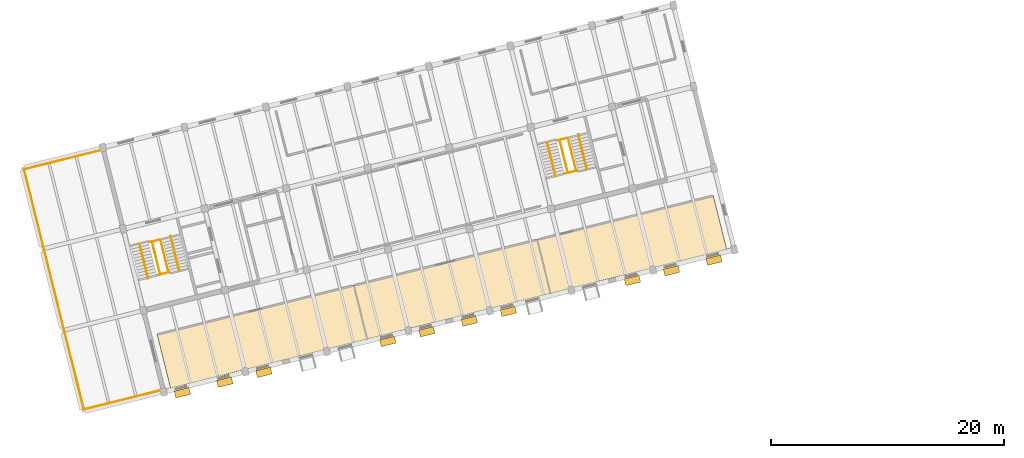
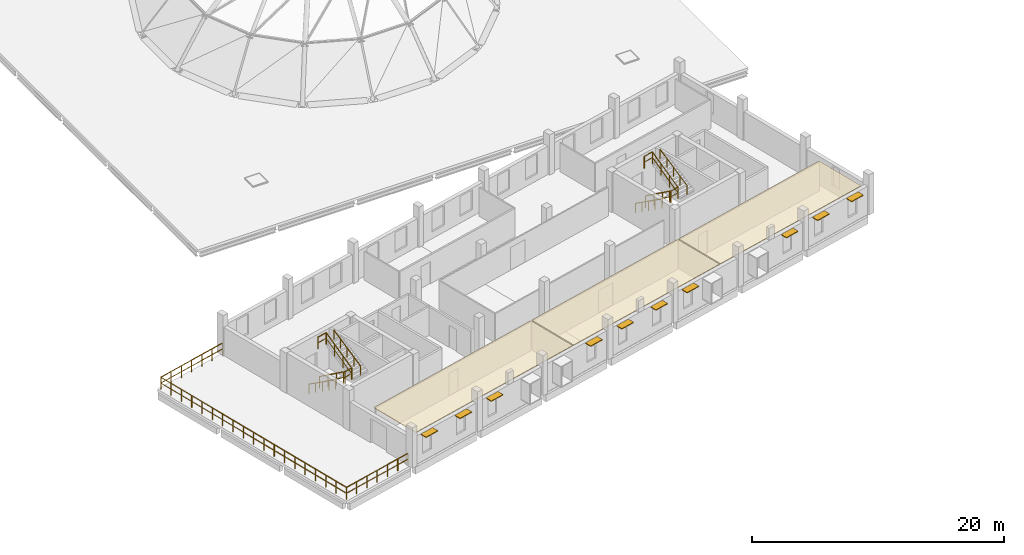
# One storey, part 31 of 32: 15 railings, 10 shading devices, 3 coverings.
"""IFC4 building model written with IfcOpenShell, lengths in metres."""

from ifc_helpers import new_model, si_unit, direction, frame, origin, origin_2d, place, context, subcontext, project, spatial, polyline, rectangle, circle, outline, extrude, material, layer, layer_set, material_profile, profile_set, type_object, element, save


model = new_model("IFC4")

# Units and contexts
model_context = context("Model", 3, precision=1e-05, world=origin(), true_north=direction((0.0, 1.0)))
body_context = subcontext(model_context, "Body", "Model", "MODEL_VIEW")
ifc_project = project(units=[si_unit("LENGTHUNIT", "METRE"), si_unit("AREAUNIT", "SQUARE_METRE"), si_unit("VOLUMEUNIT", "CUBIC_METRE"), si_unit("PLANEANGLEUNIT", "RADIAN"), si_unit("MASSUNIT", "GRAM", prefix="KILO")], contexts=[model_context])

# Site, building, storey
site_placement = place(None, origin())
site = spatial("IfcSite", under=ifc_project, at=site_placement, CompositionType="ELEMENT")
building_placement = place(site_placement, origin())
building = spatial("IfcBuilding", under=site, at=building_placement, Name="Qiaolan Assembly House", CompositionType="ELEMENT")
storey_placement = place(building_placement, frame((0.0, 0.0, 18.60009765625)))
storey = spatial("IfcBuildingStorey", under=building, at=storey_placement, Name="L04", CompositionType="ELEMENT", Elevation=18.60009765625)

# Coverings
ifc_material_1 = material(Name="Gypsum plasterboard acoustic ceiling")
ifc_layer = layer(ifc_material_1, 0.044921875)
ifc_layer_set = layer_set([ifc_layer], Name="Gypsum plasterboard acoustic ceiling")
covering_type = type_object("IfcCoveringType", Name="COV-CEIL-ACOUSTIC", PredefinedType="CEILING", material=ifc_layer_set)
covering_1_placement = place(storey_placement, frame((0.0, 0.0, 2.73486328125)))
element("IfcCovering", 1, at=covering_1_placement, inside=storey, type_object=covering_type, Name="Suspended ceiling Transportation & River-Crossing Authority", PredefinedType="CEILING", context=body_context, shape_type="SweptSolid", body=[
    extrude(outline(polyline([(43.5634765625, 2.0712890625), (60.369140625, 6.261474609375), (59.212646484375, 10.8994140625), (42.4072265625, 6.709228515625), (43.5634765625, 2.0712890625)])), origin(), (0.0, 0.0, 1.0), 0.044921875),
])
covering_2_placement = place(storey_placement, frame((0.0, 0.0, 2.73486328125)))
element("IfcCovering", 2, at=covering_2_placement, inside=storey, type_object=covering_type, Name="Suspended ceiling Smart Mobility Traffic Briefing Room", PredefinedType="CEILING", context=body_context, shape_type="SweptSolid", body=[
    extrude(outline(polyline([(60.44677734375, 6.28076171875), (76.087890625, 10.1806640625), (74.931396484375, 14.818603515625), (59.290283203125, 10.918701171875), (60.44677734375, 6.28076171875)])), origin(), (0.0, 0.0, 1.0), 0.044921875),
])
covering_3_placement = place(storey_placement, frame((0.0, 0.0, 2.73486328125)))
element("IfcCovering", 3, at=covering_3_placement, inside=storey, type_object=covering_type, Name="Suspended ceiling West Splayed Terrace Lounge & Tea Bar", PredefinedType="CEILING", context=body_context, shape_type="SweptSolid", body=[
    extrude(outline(polyline([(76.16552734375, 10.199951171875), (91.224609375, 13.95458984375), (90.068115234375, 18.592529296875), (75.009033203125, 14.837890625), (76.16552734375, 10.199951171875)])), origin(), (0.0, 0.0, 1.0), 0.044921875),
])

# Railings
ifc_material_2 = material(Name="Anodised bronze aluminium", Category="aluminium")
railing_type_1 = type_object("IfcRailingType", Name="RAL-GUARD-STAIRWELL-1150", PredefinedType="GUARDRAIL", material=ifc_material_2)
railing_1_placement = place(storey_placement, frame((41.97802734375, 14.630859375, 0.0)))
element("IfcRailing", 4, at=railing_1_placement, inside=storey, type_object=railing_type_1, Name="GR-01 stair inner-well guard FLT-CORE-C-L04-1", PredefinedType="GUARDRAIL", context=body_context, shape_type="SweptSolid", body=[
    extrude(circle(Radius=0.02392578125, at=origin_2d()), frame((0.0, 0.0, 1.1259765625), z_axis=(0.201115041454, -0.80647897378, 0.556007558358), x_axis=(0.970285205568, 0.241964087949, 0.0)), (0.0, 0.0, 1.0), 3.507080078125),
    extrude(circle(Radius=0.01611328125, at=origin_2d()), frame((0.0, 0.0, 0.574951171875), z_axis=(0.201115041454, -0.80647897378, 0.556007558358), x_axis=(0.970285205568, 0.241964087949, 0.0)), (0.0, 0.0, 1.0), 3.507080078125),
    extrude(circle(Radius=0.02099609375, at=origin_2d()), origin(), (0.0, 0.0, 1.0), 1.101806640625),
    extrude(circle(Radius=0.02099609375, at=origin_2d()), frame((0.235107421875, -0.94287109375, 0.64990234375)), (0.0, 0.0, 1.0), 1.101806640625),
    extrude(circle(Radius=0.02099609375, at=origin_2d()), frame((0.47021484375, -1.885498046875, 1.300048828125)), (0.0, 0.0, 1.0), 1.101806640625),
    extrude(circle(Radius=0.02099609375, at=origin_2d()), frame((0.705322265625, -2.828369140625, 1.949951171875)), (0.0, 0.0, 1.0), 1.101806640625),
])
railing_2_placement = place(storey_placement, frame((43.4013671875, 11.9814453125, 1.949951171875)))
element("IfcRailing", 5, at=railing_2_placement, inside=storey, type_object=railing_type_1, Name="GR-01 stair inner-well guard FLT-CORE-C-L04-2", PredefinedType="GUARDRAIL", context=body_context, shape_type="SweptSolid", body=[
    extrude(circle(Radius=0.02392578125, at=origin_2d()), frame((0.0, 0.0, 1.1259765625), z_axis=(-0.201115041454, 0.80647897378, 0.556007558358), x_axis=(-0.970285205568, -0.241964087949, 0.0)), (0.0, 0.0, 1.0), 3.507080078125),
    extrude(circle(Radius=0.01611328125, at=origin_2d()), frame((0.0, 0.0, 0.574951171875), z_axis=(-0.201115041454, 0.80647897378, 0.556007558358), x_axis=(-0.970285205568, -0.241964087949, 0.0)), (0.0, 0.0, 1.0), 3.507080078125),
    extrude(circle(Radius=0.02099609375, at=origin_2d()), origin(), (0.0, 0.0, 1.0), 1.101806640625),
    extrude(circle(Radius=0.02099609375, at=origin_2d()), frame((-0.235107421875, 0.94287109375, 0.64990234375)), (0.0, 0.0, 1.0), 1.101806640625),
    extrude(circle(Radius=0.02099609375, at=origin_2d()), frame((-0.47021484375, 1.885498046875, 1.300048828125)), (0.0, 0.0, 1.0), 1.101806640625),
    extrude(circle(Radius=0.02099609375, at=origin_2d()), frame((-0.705322265625, 2.828369140625, 1.949951171875)), (0.0, 0.0, 1.0), 1.101806640625),
])
railing_3_placement = place(storey_placement, frame((42.528076171875, 11.763671875, 1.949951171875)))
element("IfcRailing", 6, at=railing_3_placement, inside=storey, type_object=railing_type_1, Name="GR-01 stairwell landing guard CORE-C L04-1", PredefinedType="GUARDRAIL", context=body_context, shape_type="SweptSolid", body=[
    extrude(circle(Radius=0.02392578125, at=origin_2d()), frame((0.0, 0.0, 1.1259765625), z_axis=(0.97026726112, 0.242036034503, 0.0), x_axis=(-0.242036034503, 0.97026726112, 0.0)), (0.0, 0.0, 1.0), 0.919921875),
    extrude(circle(Radius=0.01611328125, at=origin_2d()), frame((0.0, 0.0, 0.574951171875), z_axis=(0.97026726112, 0.242036034503, 0.0), x_axis=(-0.242036034503, 0.97026726112, 0.0)), (0.0, 0.0, 1.0), 0.919921875),
    extrude(circle(Radius=0.02099609375, at=origin_2d()), origin(), (0.0, 0.0, 1.0), 1.101806640625),
    extrude(circle(Radius=0.02099609375, at=origin_2d()), frame((0.892578125, 0.22265625, 0.0)), (0.0, 0.0, 1.0), 1.101806640625),
])
railing_4_placement = place(storey_placement, frame((41.82275390625, 14.592041015625, 3.89990234375)))
element("IfcRailing", 7, at=railing_4_placement, inside=storey, type_object=railing_type_1, Name="GR-01 stairwell landing guard CORE-C L04-2", PredefinedType="GUARDRAIL", context=body_context, shape_type="SweptSolid", body=[
    extrude(circle(Radius=0.02392578125, at=origin_2d()), frame((0.0, 0.0, 1.1259765625), z_axis=(0.970282802069, 0.241973725865, 0.0), x_axis=(-0.241973725865, 0.970282802069, 0.0)), (0.0, 0.0, 1.0), 0.920166015625),
    extrude(circle(Radius=0.01611328125, at=origin_2d()), frame((0.0, 0.0, 0.574951171875), z_axis=(0.970282802069, 0.241973725865, 0.0), x_axis=(-0.241973725865, 0.970282802069, 0.0)), (0.0, 0.0, 1.0), 0.920166015625),
    extrude(circle(Radius=0.02099609375, at=origin_2d()), origin(), (0.0, 0.0, 1.0), 1.101806640625),
    extrude(circle(Radius=0.02099609375, at=origin_2d()), frame((0.892822265625, 0.22265625, 0.0)), (0.0, 0.0, 1.0), 1.101806640625),
])
railing_5_placement = place(storey_placement, frame((76.90869140625, 23.340087890625, 0.0)))
element("IfcRailing", 8, at=railing_5_placement, inside=storey, type_object=railing_type_1, Name="GR-01 stair inner-well guard FLT-CORE-D-L04-1", PredefinedType="GUARDRAIL", context=body_context, shape_type="SweptSolid", body=[
    extrude(circle(Radius=0.02392578125, at=origin_2d()), frame((0.0, 0.0, 1.1259765625), z_axis=(0.201115041454, -0.80647897378, 0.556007558358), x_axis=(0.970285205568, 0.241964087949, 0.0)), (0.0, 0.0, 1.0), 3.507080078125),
    extrude(circle(Radius=0.01611328125, at=origin_2d()), frame((0.0, 0.0, 0.574951171875), z_axis=(0.201115041454, -0.80647897378, 0.556007558358), x_axis=(0.970285205568, 0.241964087949, 0.0)), (0.0, 0.0, 1.0), 3.507080078125),
    extrude(circle(Radius=0.02099609375, at=origin_2d()), origin(), (0.0, 0.0, 1.0), 1.101806640625),
    extrude(circle(Radius=0.02099609375, at=origin_2d()), frame((0.235107421875, -0.94287109375, 0.64990234375)), (0.0, 0.0, 1.0), 1.101806640625),
    extrude(circle(Radius=0.02099609375, at=origin_2d()), frame((0.47021484375, -1.885498046875, 1.300048828125)), (0.0, 0.0, 1.0), 1.101806640625),
    extrude(circle(Radius=0.02099609375, at=origin_2d()), frame((0.705322265625, -2.828369140625, 1.949951171875)), (0.0, 0.0, 1.0), 1.101806640625),
])
railing_6_placement = place(storey_placement, frame((78.33203125, 20.690673828125, 1.949951171875)))
element("IfcRailing", 9, at=railing_6_placement, inside=storey, type_object=railing_type_1, Name="GR-01 stair inner-well guard FLT-CORE-D-L04-2", PredefinedType="GUARDRAIL", context=body_context, shape_type="SweptSolid", body=[
    extrude(circle(Radius=0.02392578125, at=origin_2d()), frame((0.0, 0.0, 1.1259765625), z_axis=(-0.201115041454, 0.80647897378, 0.556007558358), x_axis=(-0.970285205568, -0.241964087949, 0.0)), (0.0, 0.0, 1.0), 3.507080078125),
    extrude(circle(Radius=0.01611328125, at=origin_2d()), frame((0.0, 0.0, 0.574951171875), z_axis=(-0.201115041454, 0.80647897378, 0.556007558358), x_axis=(-0.970285205568, -0.241964087949, 0.0)), (0.0, 0.0, 1.0), 3.507080078125),
    extrude(circle(Radius=0.02099609375, at=origin_2d()), origin(), (0.0, 0.0, 1.0), 1.101806640625),
    extrude(circle(Radius=0.02099609375, at=origin_2d()), frame((-0.235107421875, 0.94287109375, 0.64990234375)), (0.0, 0.0, 1.0), 1.101806640625),
    extrude(circle(Radius=0.02099609375, at=origin_2d()), frame((-0.47021484375, 1.885498046875, 1.300048828125)), (0.0, 0.0, 1.0), 1.101806640625),
    extrude(circle(Radius=0.02099609375, at=origin_2d()), frame((-0.705322265625, 2.828369140625, 1.949951171875)), (0.0, 0.0, 1.0), 1.101806640625),
])
railing_7_placement = place(storey_placement, frame((77.458740234375, 20.472900390625, 1.949951171875)))
element("IfcRailing", 10, at=railing_7_placement, inside=storey, type_object=railing_type_1, Name="GR-01 stairwell landing guard CORE-D L04-1", PredefinedType="GUARDRAIL", context=body_context, shape_type="SweptSolid", body=[
    extrude(circle(Radius=0.02392578125, at=origin_2d()), frame((0.0, 0.0, 1.1259765625), z_axis=(0.97026726112, 0.242036034503, 0.0), x_axis=(-0.242036034503, 0.97026726112, 0.0)), (0.0, 0.0, 1.0), 0.919921875),
    extrude(circle(Radius=0.01611328125, at=origin_2d()), frame((0.0, 0.0, 0.574951171875), z_axis=(0.97026726112, 0.242036034503, 0.0), x_axis=(-0.242036034503, 0.97026726112, 0.0)), (0.0, 0.0, 1.0), 0.919921875),
    extrude(circle(Radius=0.02099609375, at=origin_2d()), origin(), (0.0, 0.0, 1.0), 1.101806640625),
    extrude(circle(Radius=0.02099609375, at=origin_2d()), frame((0.892578125, 0.22265625, 0.0)), (0.0, 0.0, 1.0), 1.101806640625),
])
railing_8_placement = place(storey_placement, frame((76.75341796875, 23.30126953125, 3.89990234375)))
element("IfcRailing", 11, at=railing_8_placement, inside=storey, type_object=railing_type_1, Name="GR-01 stairwell landing guard CORE-D L04-2", PredefinedType="GUARDRAIL", context=body_context, shape_type="SweptSolid", body=[
    extrude(circle(Radius=0.02392578125, at=origin_2d()), frame((0.0, 0.0, 1.1259765625), z_axis=(0.970282802069, 0.241973725865, 0.0), x_axis=(-0.241973725865, 0.970282802069, 0.0)), (0.0, 0.0, 1.0), 0.920166015625),
    extrude(circle(Radius=0.01611328125, at=origin_2d()), frame((0.0, 0.0, 0.574951171875), z_axis=(0.970282802069, 0.241973725865, 0.0), x_axis=(-0.241973725865, 0.970282802069, 0.0)), (0.0, 0.0, 1.0), 0.920166015625),
    extrude(circle(Radius=0.02099609375, at=origin_2d()), origin(), (0.0, 0.0, 1.0), 1.101806640625),
    extrude(circle(Radius=0.02099609375, at=origin_2d()), frame((0.892822265625, 0.22265625, 0.0)), (0.0, 0.0, 1.0), 1.101806640625),
])
railing_type_2 = type_object("IfcRailingType", Name="RAL-GUARD-TERRACE-1180", PredefinedType="GUARDRAIL", material=ifc_material_2)
railing_9_placement = place(storey_placement, frame((42.74365234375, 1.887451171875, 0.0)))
element("IfcRailing", 12, at=railing_9_placement, inside=storey, type_object=railing_type_2, Name="GR-03 L04 Splayed West Terrace Guard seg 1", PredefinedType="GUARDRAIL", context=body_context, shape_type="SweptSolid", body=[
    extrude(circle(Radius=0.02392578125, at=origin_2d()), frame((0.0, 0.0, 1.15576171875), z_axis=(-0.970296478685, -0.241918877831, 0.0), x_axis=(0.241918877831, -0.970296478685, 0.0)), (0.0, 0.0, 1.0), 6.7998046875),
    extrude(circle(Radius=0.01611328125, at=origin_2d()), frame((0.0, 0.0, 0.58984375), z_axis=(-0.970296478685, -0.241918877831, 0.0), x_axis=(0.241918877831, -0.970296478685, 0.0)), (0.0, 0.0, 1.0), 6.7998046875),
    extrude(circle(Radius=0.02099609375, at=origin_2d()), origin(), (0.0, 0.0, 1.0), 1.1318359375),
    extrude(circle(Radius=0.02099609375, at=origin_2d()), frame((-1.099609375, -0.274169921875, 0.0)), (0.0, 0.0, 1.0), 1.1318359375),
    extrude(circle(Radius=0.02099609375, at=origin_2d()), frame((-2.19921875, -0.54833984375, 0.0)), (0.0, 0.0, 1.0), 1.1318359375),
    extrude(circle(Radius=0.02099609375, at=origin_2d()), frame((-3.298828125, -0.822509765625, 0.0)), (0.0, 0.0, 1.0), 1.1318359375),
    extrude(circle(Radius=0.02099609375, at=origin_2d()), frame((-4.398681640625, -1.0966796875, 0.0)), (0.0, 0.0, 1.0), 1.1318359375),
    extrude(circle(Radius=0.02099609375, at=origin_2d()), frame((-5.498291015625, -1.370849609375, 0.0)), (0.0, 0.0, 1.0), 1.1318359375),
    extrude(circle(Radius=0.02099609375, at=origin_2d()), frame((-6.597900390625, -1.64501953125, 0.0)), (0.0, 0.0, 1.0), 1.1318359375),
])
railing_10_placement = place(storey_placement, frame((36.145751953125, 0.242431640625, 0.0)))
element("IfcRailing", 13, at=railing_10_placement, inside=storey, type_object=railing_type_2, Name="GR-03 L04 Splayed West Terrace Guard seg 2", PredefinedType="GUARDRAIL", context=body_context, shape_type="SweptSolid", body=[
    extrude(circle(Radius=0.02392578125, at=origin_2d()), frame((0.0, 0.0, 1.15576171875), z_axis=(-0.241928615405, 0.970294050816, 0.0), x_axis=(-0.970294050816, -0.241928615405, 0.0)), (0.0, 0.0, 1.0), 21.2001953125),
    extrude(circle(Radius=0.01611328125, at=origin_2d()), frame((0.0, 0.0, 0.58984375), z_axis=(-0.241928615405, 0.970294050816, 0.0), x_axis=(-0.970294050816, -0.241928615405, 0.0)), (0.0, 0.0, 1.0), 21.2001953125),
    extrude(circle(Radius=0.02099609375, at=origin_2d()), origin(), (0.0, 0.0, 1.0), 1.1318359375),
    extrude(circle(Radius=0.02099609375, at=origin_2d()), frame((-0.284912109375, 1.142822265625, 0.0)), (0.0, 0.0, 1.0), 1.1318359375),
    extrude(circle(Radius=0.02099609375, at=origin_2d()), frame((-0.56982421875, 2.28564453125, 0.0)), (0.0, 0.0, 1.0), 1.1318359375),
    extrude(circle(Radius=0.02099609375, at=origin_2d()), frame((-0.854736328125, 3.428466796875, 0.0)), (0.0, 0.0, 1.0), 1.1318359375),
    extrude(circle(Radius=0.02099609375, at=origin_2d()), frame((-1.1396484375, 4.5712890625, 0.0)), (0.0, 0.0, 1.0), 1.1318359375),
    extrude(circle(Radius=0.02099609375, at=origin_2d()), frame((-1.4248046875, 5.7138671875, 0.0)), (0.0, 0.0, 1.0), 1.1318359375),
    extrude(circle(Radius=0.02099609375, at=origin_2d()), frame((-1.709716796875, 6.856689453125, 0.0)), (0.0, 0.0, 1.0), 1.1318359375),
    extrude(circle(Radius=0.02099609375, at=origin_2d()), frame((-1.99462890625, 7.99951171875, 0.0)), (0.0, 0.0, 1.0), 1.1318359375),
    extrude(circle(Radius=0.02099609375, at=origin_2d()), frame((-2.279541015625, 9.142333984375, 0.0)), (0.0, 0.0, 1.0), 1.1318359375),
    extrude(circle(Radius=0.02099609375, at=origin_2d()), frame((-2.564453125, 10.28515625, 0.0)), (0.0, 0.0, 1.0), 1.1318359375),
    extrude(circle(Radius=0.02099609375, at=origin_2d()), frame((-2.849365234375, 11.427978515625, 0.0)), (0.0, 0.0, 1.0), 1.1318359375),
    extrude(circle(Radius=0.02099609375, at=origin_2d()), frame((-3.13427734375, 12.57080078125, 0.0)), (0.0, 0.0, 1.0), 1.1318359375),
    extrude(circle(Radius=0.02099609375, at=origin_2d()), frame((-3.419189453125, 13.713623046875, 0.0)), (0.0, 0.0, 1.0), 1.1318359375),
    extrude(circle(Radius=0.02099609375, at=origin_2d()), frame((-3.7041015625, 14.8564453125, 0.0)), (0.0, 0.0, 1.0), 1.1318359375),
    extrude(circle(Radius=0.02099609375, at=origin_2d()), frame((-3.9892578125, 15.9990234375, 0.0)), (0.0, 0.0, 1.0), 1.1318359375),
    extrude(circle(Radius=0.02099609375, at=origin_2d()), frame((-4.274169921875, 17.141845703125, 0.0)), (0.0, 0.0, 1.0), 1.1318359375),
    extrude(circle(Radius=0.02099609375, at=origin_2d()), frame((-4.55908203125, 18.28466796875, 0.0)), (0.0, 0.0, 1.0), 1.1318359375),
    extrude(circle(Radius=0.02099609375, at=origin_2d()), frame((-4.843994140625, 19.427490234375, 0.0)), (0.0, 0.0, 1.0), 1.1318359375),
    extrude(circle(Radius=0.02099609375, at=origin_2d()), frame((-5.12890625, 20.5703125, 0.0)), (0.0, 0.0, 1.0), 1.1318359375),
])
railing_11_placement = place(storey_placement, frame((31.016845703125, 20.812744140625, 0.0)))
element("IfcRailing", 14, at=railing_11_placement, inside=storey, type_object=railing_type_2, Name="GR-03 L04 Splayed West Terrace Guard seg 3", PredefinedType="GUARDRAIL", context=body_context, shape_type="SweptSolid", body=[
    extrude(circle(Radius=0.02392578125, at=origin_2d()), frame((0.0, 0.0, 1.15576171875), z_axis=(0.970298579828, 0.24191045034, 0.0), x_axis=(-0.24191045034, 0.970298579828, 0.0)), (0.0, 0.0, 1.0), 6.800048828125),
    extrude(circle(Radius=0.01611328125, at=origin_2d()), frame((0.0, 0.0, 0.58984375), z_axis=(0.970298579828, 0.24191045034, 0.0), x_axis=(-0.24191045034, 0.970298579828, 0.0)), (0.0, 0.0, 1.0), 6.800048828125),
    extrude(circle(Radius=0.02099609375, at=origin_2d()), origin(), (0.0, 0.0, 1.0), 1.1318359375),
    extrude(circle(Radius=0.02099609375, at=origin_2d()), frame((1.099609375, 0.274169921875, 0.0)), (0.0, 0.0, 1.0), 1.1318359375),
    extrude(circle(Radius=0.02099609375, at=origin_2d()), frame((2.199462890625, 0.54833984375, 0.0)), (0.0, 0.0, 1.0), 1.1318359375),
    extrude(circle(Radius=0.02099609375, at=origin_2d()), frame((3.299072265625, 0.822509765625, 0.0)), (0.0, 0.0, 1.0), 1.1318359375),
    extrude(circle(Radius=0.02099609375, at=origin_2d()), frame((4.398681640625, 1.0966796875, 0.0)), (0.0, 0.0, 1.0), 1.1318359375),
    extrude(circle(Radius=0.02099609375, at=origin_2d()), frame((5.49853515625, 1.370849609375, 0.0)), (0.0, 0.0, 1.0), 1.1318359375),
    extrude(circle(Radius=0.02099609375, at=origin_2d()), frame((6.59814453125, 1.64501953125, 0.0)), (0.0, 0.0, 1.0), 1.1318359375),
])
railing_type_3 = type_object("IfcRailingType", Name="RAL-HANDRAIL-STAIR-920", PredefinedType="HANDRAIL", material=ifc_material_2)
railing_12_placement = place(storey_placement, frame((40.906005859375, 14.42529296875, 0.0)))
element("IfcRailing", 15, at=railing_12_placement, inside=storey, type_object=railing_type_3, Name="HR-01 stair handrail FLT-CORE-C-L04-1", PredefinedType="HANDRAIL", context=body_context, shape_type="SweptSolid", body=[
    extrude(circle(Radius=0.02392578125, at=origin_2d()), frame((0.0, 0.0, 0.89599609375), z_axis=(0.203507602252, -0.816331459384, 0.540543804187), x_axis=(0.970303172649, 0.241892027869, 0.0)), (0.0, 0.0, 1.0), 3.607421875),
    extrude(circle(Radius=0.02099609375, at=origin_2d()), origin(), (0.0, 0.0, 1.0), 0.871826171875),
    extrude(circle(Radius=0.02099609375, at=origin_2d()), frame((0.18359375, -0.736328125, 0.487548828125)), (0.0, 0.0, 1.0), 0.871826171875),
    extrude(circle(Radius=0.02099609375, at=origin_2d()), frame((0.3671875, -1.472412109375, 0.97509765625)), (0.0, 0.0, 1.0), 0.871826171875),
    extrude(circle(Radius=0.02099609375, at=origin_2d()), frame((0.550537109375, -2.20849609375, 1.46240234375)), (0.0, 0.0, 1.0), 0.871826171875),
    extrude(circle(Radius=0.02099609375, at=origin_2d()), frame((0.734130859375, -2.94482421875, 1.949951171875)), (0.0, 0.0, 1.0), 0.871826171875),
])
railing_13_placement = place(storey_placement, frame((44.308349609375, 12.145751953125, 1.949951171875)))
element("IfcRailing", 16, at=railing_13_placement, inside=storey, type_object=railing_type_3, Name="HR-01 stair handrail FLT-CORE-C-L04-2", PredefinedType="HANDRAIL", context=body_context, shape_type="SweptSolid", body=[
    extrude(circle(Radius=0.02392578125, at=origin_2d()), frame((0.0, 0.0, 0.89599609375), z_axis=(-0.203507602252, 0.816331459384, 0.540543804187), x_axis=(-0.970303172649, -0.241892027869, 0.0)), (0.0, 0.0, 1.0), 3.607421875),
    extrude(circle(Radius=0.02099609375, at=origin_2d()), origin(), (0.0, 0.0, 1.0), 0.871826171875),
    extrude(circle(Radius=0.02099609375, at=origin_2d()), frame((-0.18359375, 0.736328125, 0.487548828125)), (0.0, 0.0, 1.0), 0.871826171875),
    extrude(circle(Radius=0.02099609375, at=origin_2d()), frame((-0.3671875, 1.472412109375, 0.97509765625)), (0.0, 0.0, 1.0), 0.871826171875),
    extrude(circle(Radius=0.02099609375, at=origin_2d()), frame((-0.550537109375, 2.20849609375, 1.46240234375)), (0.0, 0.0, 1.0), 0.871826171875),
    extrude(circle(Radius=0.02099609375, at=origin_2d()), frame((-0.734130859375, 2.94482421875, 1.949951171875)), (0.0, 0.0, 1.0), 0.871826171875),
])
railing_14_placement = place(storey_placement, frame((75.836669921875, 23.134521484375, 0.0)))
element("IfcRailing", 17, at=railing_14_placement, inside=storey, type_object=railing_type_3, Name="HR-01 stair handrail FLT-CORE-D-L04-1", PredefinedType="HANDRAIL", context=body_context, shape_type="SweptSolid", body=[
    extrude(circle(Radius=0.02392578125, at=origin_2d()), frame((0.0, 0.0, 0.89599609375), z_axis=(0.203507602252, -0.816331459384, 0.540543804187), x_axis=(0.970303172649, 0.241892027869, 0.0)), (0.0, 0.0, 1.0), 3.607421875),
    extrude(circle(Radius=0.02099609375, at=origin_2d()), origin(), (0.0, 0.0, 1.0), 0.871826171875),
    extrude(circle(Radius=0.02099609375, at=origin_2d()), frame((0.18359375, -0.736328125, 0.487548828125)), (0.0, 0.0, 1.0), 0.871826171875),
    extrude(circle(Radius=0.02099609375, at=origin_2d()), frame((0.3671875, -1.472412109375, 0.97509765625)), (0.0, 0.0, 1.0), 0.871826171875),
    extrude(circle(Radius=0.02099609375, at=origin_2d()), frame((0.550537109375, -2.20849609375, 1.46240234375)), (0.0, 0.0, 1.0), 0.871826171875),
    extrude(circle(Radius=0.02099609375, at=origin_2d()), frame((0.734130859375, -2.94482421875, 1.949951171875)), (0.0, 0.0, 1.0), 0.871826171875),
])
railing_15_placement = place(storey_placement, frame((79.239013671875, 20.85498046875, 1.949951171875)))
element("IfcRailing", 18, at=railing_15_placement, inside=storey, type_object=railing_type_3, Name="HR-01 stair handrail FLT-CORE-D-L04-2", PredefinedType="HANDRAIL", context=body_context, shape_type="SweptSolid", body=[
    extrude(circle(Radius=0.02392578125, at=origin_2d()), frame((0.0, 0.0, 0.89599609375), z_axis=(-0.203507602252, 0.816331459384, 0.540543804187), x_axis=(-0.970303172649, -0.241892027869, 0.0)), (0.0, 0.0, 1.0), 3.607421875),
    extrude(circle(Radius=0.02099609375, at=origin_2d()), origin(), (0.0, 0.0, 1.0), 0.871826171875),
    extrude(circle(Radius=0.02099609375, at=origin_2d()), frame((-0.18359375, 0.736328125, 0.487548828125)), (0.0, 0.0, 1.0), 0.871826171875),
    extrude(circle(Radius=0.02099609375, at=origin_2d()), frame((-0.3671875, 1.472412109375, 0.97509765625)), (0.0, 0.0, 1.0), 0.871826171875),
    extrude(circle(Radius=0.02099609375, at=origin_2d()), frame((-0.550537109375, 2.20849609375, 1.46240234375)), (0.0, 0.0, 1.0), 0.871826171875),
    extrude(circle(Radius=0.02099609375, at=origin_2d()), frame((-0.734130859375, 2.94482421875, 1.949951171875)), (0.0, 0.0, 1.0), 0.871826171875),
])

# Shading devices
ifc_material_profile = material_profile(ifc_material_2, rectangle(XDim=0.60009765625, YDim=0.070068359375, at=origin_2d()), Name="SHD 600x70")
ifc_profile_set = profile_set([ifc_material_profile], Name="Anodised bronze aluminium")
shading_device_type = type_object("IfcShadingDeviceType", Name="SHD-SUNSHADE-AL-600", PredefinedType="AWNING", material=ifc_profile_set)
shading_device_1_placement = place(storey_placement, frame((43.944091796875, 1.516845703125, 2.639892578125), z_axis=(0.970296981152, 0.24191686251, 0.0), x_axis=(-0.24191686251, 0.970296981152, 0.0)))
element("IfcShadingDevice", 19, at=shading_device_1_placement, inside=storey, type_object=shading_device_type, Name="SH-02 horizontal sunshade louvre L04-1", PredefinedType="AWNING", context=body_context, shape_type="SweptSolid", body=[
    extrude(rectangle(XDim=0.60009765625, YDim=0.070068359375, at=origin_2d()), origin(), (0.0, 0.0, 1.0), 1.2998046875),
])
shading_device_2_placement = place(storey_placement, frame((47.58251953125, 2.424072265625, 2.639892578125), z_axis=(0.970307970296, 0.241872782222, 0.0), x_axis=(-0.241872782222, 0.970307970296, 0.0)))
element("IfcShadingDevice", 20, at=shading_device_2_placement, inside=storey, type_object=shading_device_type, Name="SH-02 horizontal sunshade louvre L04-1", PredefinedType="AWNING", context=body_context, shape_type="SweptSolid", body=[
    extrude(rectangle(XDim=0.60009765625, YDim=0.070068359375, at=origin_2d()), origin(), (0.0, 0.0, 1.0), 1.300048828125),
])
for number, where, z_axis, x_axis, name in (
    (21, (50.93017578125, 3.2587890625, 2.639892578125), (0.970296981152, 0.24191686251, 0.0), (-0.24191686251, 0.970296981152, 0.0), "SH-02 horizontal sunshade louvre L04-2"),
    (22, (61.554931640625, 5.90771484375, 2.639892578125), (0.970296981152, 0.24191686251, 0.0), (-0.24191686251, 0.970296981152, 0.0), "SH-02 horizontal sunshade louvre L04-3"),
):
    element("IfcShadingDevice", number, at=place(storey_placement, frame(where, z_axis=z_axis, x_axis=x_axis)), inside=storey, type_object=shading_device_type, Name=name, PredefinedType="AWNING", context=body_context, shape_type="SweptSolid", body=[
        extrude(rectangle(XDim=0.60009765625, YDim=0.070068359375, at=origin_2d()), origin(), (0.0, 0.0, 1.0), 1.2998046875),
    ])
for number, where, z_axis, x_axis, name in (
    (23, (64.90234375, 6.742431640625, 2.639892578125), (0.970307970296, 0.241872782222, 0.0), (-0.241872782222, 0.970307970296, 0.0), "SH-02 horizontal sunshade louvre L04-4"),
    (24, (68.541015625, 7.649658203125, 2.639892578125), (0.970307970296, 0.241872782222, 0.0), (-0.241872782222, 0.970307970296, 0.0), "SH-02 horizontal sunshade louvre L04-4"),
    (25, (71.888427734375, 8.484130859375, 2.639892578125), (0.970263883687, 0.242049573461, 0.0), (-0.242049573461, 0.970263883687, 0.0), "SH-02 horizontal sunshade louvre L04-5"),
    (26, (82.51318359375, 11.13330078125, 2.639892578125), (0.970307970296, 0.241872782222, 0.0), (-0.241872782222, 0.970307970296, 0.0), "SH-02 horizontal sunshade louvre L04-6"),
):
    element("IfcShadingDevice", number, at=place(storey_placement, frame(where, z_axis=z_axis, x_axis=x_axis)), inside=storey, type_object=shading_device_type, Name=name, PredefinedType="AWNING", context=body_context, shape_type="SweptSolid", body=[
        extrude(rectangle(XDim=0.60009765625, YDim=0.070068359375, at=origin_2d()), origin(), (0.0, 0.0, 1.0), 1.300048828125),
    ])
shading_device_3_placement = place(storey_placement, frame((85.86083984375, 11.968017578125, 2.639892578125), z_axis=(0.970296981152, 0.24191686251, 0.0), x_axis=(-0.24191686251, 0.970296981152, 0.0)))
element("IfcShadingDevice", 27, at=shading_device_3_placement, inside=storey, type_object=shading_device_type, Name="SH-02 horizontal sunshade louvre L04-7", PredefinedType="AWNING", context=body_context, shape_type="SweptSolid", body=[
    extrude(rectangle(XDim=0.60009765625, YDim=0.070068359375, at=origin_2d()), origin(), (0.0, 0.0, 1.0), 1.2998046875),
])
shading_device_4_placement = place(storey_placement, frame((89.499267578125, 12.875, 2.639892578125), z_axis=(0.970263883687, 0.242049573461, 0.0), x_axis=(-0.242049573461, 0.970263883687, 0.0)))
element("IfcShadingDevice", 28, at=shading_device_4_placement, inside=storey, type_object=shading_device_type, Name="SH-02 horizontal sunshade louvre L04-7", PredefinedType="AWNING", context=body_context, shape_type="SweptSolid", body=[
    extrude(rectangle(XDim=0.60009765625, YDim=0.070068359375, at=origin_2d()), origin(), (0.0, 0.0, 1.0), 1.300048828125),
])

save(model, "model.ifc")
